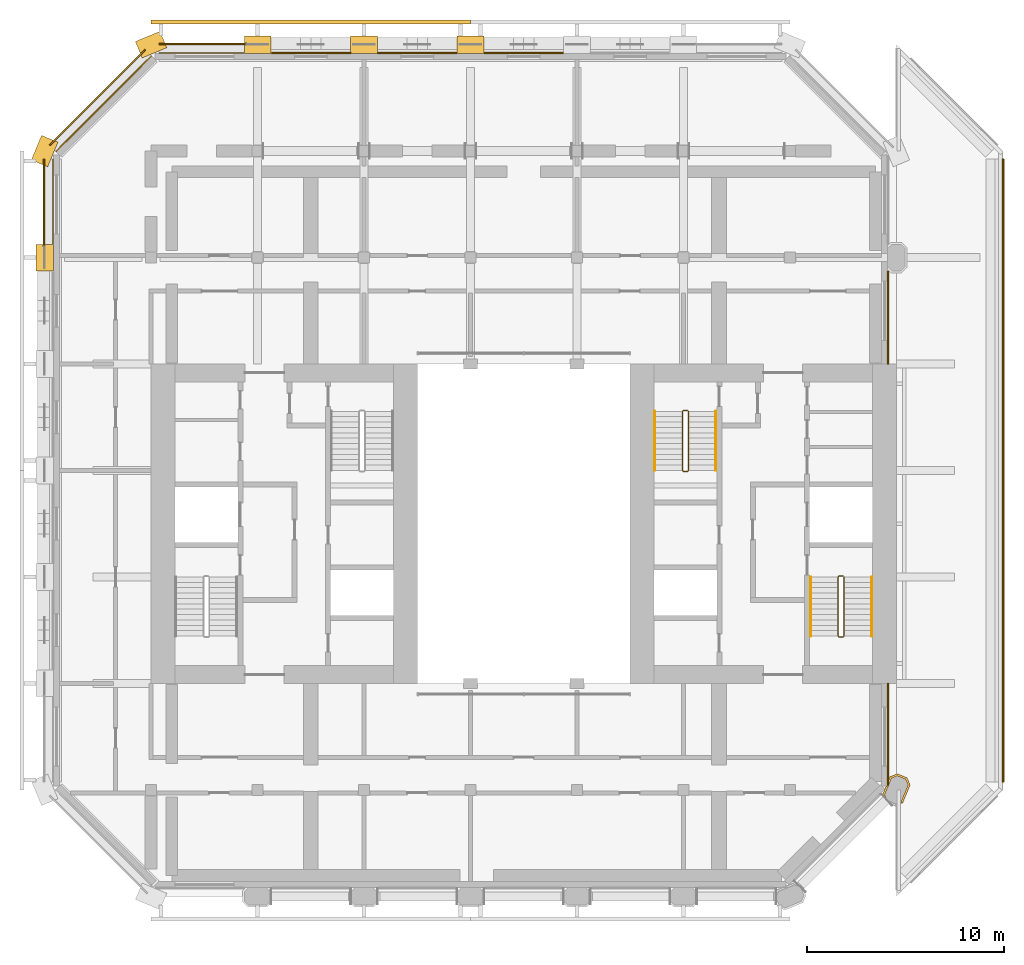
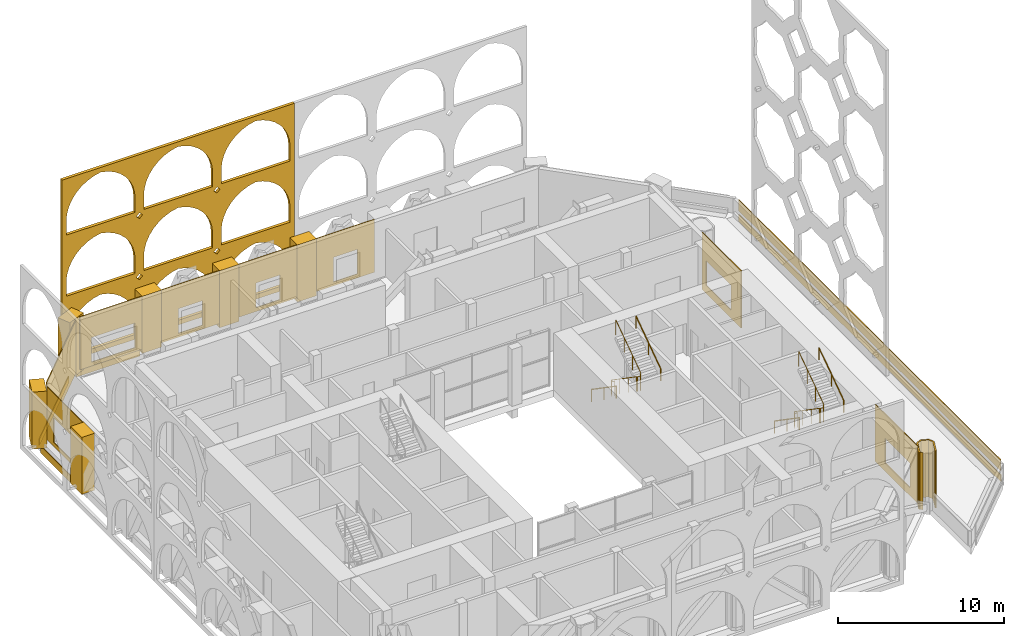
# One storey, part 15 of 16: 21 coverings, 6 railings.
"""IFC4 building model written with IfcOpenShell, lengths in metres."""

from ifc_helpers import new_model, si_unit, direction, frame, frame_2d, origin, origin_2d, place, context, subcontext, project, spatial, polyline, rectangle, circle, outline, extrude, material, layer, layer_set, type_object, element, save


model = new_model("IFC4")

# Units and contexts
model_context = context("Model", 3, precision=1e-05, world=origin(), true_north=direction((0.0, 1.0)))
body_context = subcontext(model_context, "Body", "Model", "MODEL_VIEW")
ifc_project = project(units=[si_unit("LENGTHUNIT", "METRE"), si_unit("AREAUNIT", "SQUARE_METRE"), si_unit("VOLUMEUNIT", "CUBIC_METRE"), si_unit("PLANEANGLEUNIT", "RADIAN"), si_unit("MASSUNIT", "GRAM", prefix="KILO")], contexts=[model_context])

# Site, building, storey
site_placement = place(None, origin())
site = spatial("IfcSite", under=ifc_project, at=site_placement, CompositionType="ELEMENT")
building_placement = place(site_placement, origin())
building = spatial("IfcBuilding", under=site, at=building_placement, Name="Tabaq Tower and Sports Hall", CompositionType="ELEMENT")
storey_placement = place(building_placement, frame((0.0, 0.0, 308.199951171875)))
storey = spatial("IfcBuildingStorey", under=building, at=storey_placement, Name="L77", CompositionType="ELEMENT", Elevation=308.199951171875)

# Coverings
ifc_material_1 = material(Name="Precast concrete C60/75", Category="concrete")
ifc_layer_1 = layer(ifc_material_1, 0.10009765625)
ifc_layer_set_1 = layer_set([ifc_layer_1], Name="Column cladding 100")
covering_type_1 = type_object("IfcCoveringType", Name="Column cladding 100", PredefinedType="CLADDING", material=ifc_layer_set_1)
covering_1_placement = place(storey_placement, origin())
element("IfcCovering", 1, at=covering_1_placement, inside=storey, type_object=covering_type_1, Name="Column cladding L77 PC-9C-CR", PredefinedType="CLADDING", context=body_context, shape_type="SweptSolid", body=[
    extrude(outline(polyline([(42.504150390625, 10.556396484375), (42.68212890625, 10.986083984375), (42.750244140625, 10.986083984375), (42.750244140625, 11.04296875), (42.810302734375, 11.04296875), (42.810302734375, 11.295654296875), (42.880126953125, 11.46435546875), (43.25048828125, 11.61767578125), (43.742431640625, 11.413818359375), (43.895751953125, 11.04345703125), (43.519775390625, 10.1357421875), (43.452880859375, 10.10791015625), (43.447509765625, 10.220947265625), (43.788330078125, 11.04345703125), (43.66650390625, 11.337646484375), (43.25048828125, 11.510009765625), (42.956298828125, 11.38818359375), (42.61181640625, 10.556396484375), (42.702880859375, 10.336181640625), (42.560302734375, 10.47900390625), (42.549560546875, 10.46826171875), (42.5341796875, 10.483642578125), (42.504150390625, 10.556396484375)])), origin(), (0.0, 0.0, 1.0), 4.199951171875),
])
ifc_material_2 = material(Name="Precast concrete C60/75", Category="concrete")
ifc_layer_2 = layer(ifc_material_2, 0.06005859375)
ifc_layer_set_2 = layer_set([ifc_layer_2], Name="Edge beam cladding 60")
covering_type_2 = type_object("IfcCoveringType", Name="Edge beam cladding 60", PredefinedType="CLADDING", material=ifc_layer_set_2)
covering_2_placement = place(storey_placement, frame((48.6298828125, 11.2021484375, -0.5), z_axis=(0.0, 0.0, 1.0), x_axis=(0.0, 1.0, 0.0)))
element("IfcCovering", 2, at=covering_2_placement, inside=storey, type_object=covering_type_2, Name="Edge beam cladding L77 7", PredefinedType="CLADDING", context=body_context, shape_type="SweptSolid", body=[
    extrude(rectangle(XDim=31.595703125, YDim=0.06005859375, at=frame_2d((15.7978515625, 0.0))), origin(), (0.0, 0.0, 1.0), 0.5),
])
covering_3_placement = place(storey_placement, frame((10.239990234375, 48.6298828125, -0.5), z_axis=(0.0, 0.0, 1.0), x_axis=(-1.0, 0.0, 0.0)))
element("IfcCovering", 3, at=covering_3_placement, inside=storey, type_object=covering_type_2, Name="Edge beam cladding L77 2 2", PredefinedType="CLADDING", context=body_context, shape_type="SweptSolid", body=[
    extrude(rectangle(XDim=4.43798828125, YDim=0.06005859375, at=frame_2d((2.218994140625, 0.0))), origin(), (0.0, 0.0, 1.0), 0.5),
])
covering_4_placement = place(storey_placement, frame((5.094482421875, 48.3369140625, -0.5), z_axis=(0.0, 0.0, 1.0), x_axis=(-0.707106781187, -0.707106781187, 0.0)))
element("IfcCovering", 4, at=covering_4_placement, inside=storey, type_object=covering_type_2, Name="Edge beam cladding L77 3", PredefinedType="CLADDING", context=body_context, shape_type="SweptSolid", body=[
    extrude(rectangle(XDim=6.83251953125, YDim=0.06005859375, at=frame_2d((3.416259765625, 0.0))), origin(), (0.0, 0.0, 1.0), 0.5),
])
covering_5_placement = place(storey_placement, frame((-0.030029296875, 42.7978515625, -0.5), z_axis=(0.0, 0.0, 1.0), x_axis=(0.0, -1.0, 0.0)))
element("IfcCovering", 5, at=covering_5_placement, inside=storey, type_object=covering_type_2, Name="Edge beam cladding L77 4", PredefinedType="CLADDING", context=body_context, shape_type="SweptSolid", body=[
    extrude(rectangle(XDim=4.437744140625, YDim=0.06005859375, at=frame_2d((2.21875, 0.0))), origin(), (0.0, 0.0, 1.0), 0.5),
])
ifc_material_3 = material(Name="White precast concrete C60/75", Category="concrete")
covering_type_3 = type_object("IfcCoveringType", Name="Pier cladding hung 1350x900", PredefinedType="CLADDING", material=ifc_material_3)
for number, where, z_axis, x_axis, name in (
    (6, (0.0, 38.47509765625, 0.0), (0.0, 0.0, 1.0), (0.0, -1.0, 0.0), "Hung pier cladding 0/7"),
    (7, (0.25830078125, 43.82373046875, 0.0), (0.0, 0.0, 1.0), (-0.382649923473, -0.923893411637, 0.0), "Hung pier cladding 0/8"),
    (8, (6.023681640625, 48.8583984375, 0.0), (0.0, 0.0, 1.0), (-0.923893411637, -0.382649923473, 0.0), "Hung pier cladding 1/9"),
    (9, (11.47509765625, 48.60009765625, 0.0), (0.0, 0.0, 1.0), (-1.0, 0.0, 0.0), "Hung pier cladding 2/9"),
    (10, (16.875, 48.60009765625, 0.0), (0.0, 0.0, 1.0), (-1.0, 0.0, 0.0), "Hung pier cladding 3/9"),
):
    element("IfcCovering", number, at=place(storey_placement, frame(where, z_axis=z_axis, x_axis=x_axis)), inside=storey, type_object=covering_type_3, Name=name, PredefinedType="CLADDING", context=body_context, shape_type="SweptSolid", body=[
        extrude(rectangle(XDim=1.35009765625, YDim=0.89990234375, at=frame_2d((0.675048828125, 0.0))), origin(), (0.0, 0.0, 1.0), 4.199951171875),
    ])
covering_6_placement = place(storey_placement, frame((22.27490234375, 48.60009765625, 0.0), z_axis=(0.0, 0.0, 1.0), x_axis=(-1.0, 0.0, 0.0)))
element("IfcCovering", 11, at=covering_6_placement, inside=storey, type_object=covering_type_3, Name="Hung pier cladding 4/9", PredefinedType="CLADDING", context=body_context, shape_type="SweptSolid", body=[
    extrude(rectangle(XDim=1.349853515625, YDim=0.89990234375, at=frame_2d((0.6748046875, 0.0))), origin(), (0.0, 0.0, 1.0), 4.199951171875),
])

# Railings
ifc_material_4 = material(Name="Stainless steel", Category="steel")
railing_type_1 = type_object("IfcRailingType", Name="Stair guard", PredefinedType="GUARDRAIL", material=ifc_material_4)
railing_1_placement = place(storey_placement, frame((40.5, 21.64990234375, 0.0)))
element("IfcRailing", 12, at=railing_1_placement, inside=storey, type_object=railing_type_1, Name="L77 ST3 stair guard 1", PredefinedType="GUARDRAIL", context=body_context, shape_type="SweptSolid", body=[
    extrude(circle(Radius=0.02392578125, at=origin_2d()), frame((0.0, 0.0, 1.076171875), z_axis=(-1.0, 0.0, 0.0), x_axis=(0.0, -1.0, 0.0)), (0.0, 0.0, 1.0), 0.199951171875),
    extrude(circle(Radius=0.02392578125, at=origin_2d()), frame((-0.199951171875, 0.0, 1.076171875), z_axis=(-0.249802250048, -0.248583702486, 0.935844527007), x_axis=(0.705375805398, -0.708833529934, 0.0)), (0.0, 0.0, 1.0), 0.200439453125),
    extrude(circle(Radius=0.02392578125, at=origin_2d()), frame((-0.25, -0.0498046875, 1.263671875), z_axis=(0.0, -0.824041924199, 0.566528822887), x_axis=(1.0, 0.0, 0.0)), (0.0, 0.0, 1.0), 3.640625),
    extrude(circle(Radius=0.02392578125, at=origin_2d()), frame((-0.25, -3.0498046875, 3.326171875), z_axis=(0.707106781187, -0.707106781187, 0.0), x_axis=(0.707106781187, 0.707106781187, 0.0)), (0.0, 0.0, 1.0), 0.07080078125),
    extrude(circle(Radius=0.02392578125, at=origin_2d()), frame((-0.199951171875, -3.099853515625, 3.326171875), z_axis=(1.0, 0.0, 0.0), x_axis=(0.0, 1.0, 0.0)), (0.0, 0.0, 1.0), 0.199951171875),
    extrude(circle(Radius=0.02392578125, at=origin_2d()), frame((0.0, -3.099853515625, 3.326171875), z_axis=(0.249726431254, 0.249726431254, 0.935560483917), x_axis=(-0.707106781187, 0.707106781187, 0.0)), (0.0, 0.0, 1.0), 0.200439453125),
    extrude(circle(Radius=0.02392578125, at=origin_2d()), frame((0.050048828125, -3.0498046875, 3.513671875), z_axis=(0.0, 0.824041924199, 0.566528822887), x_axis=(-1.0, 0.0, 0.0)), (0.0, 0.0, 1.0), 3.640625),
    extrude(circle(Radius=0.02099609375, at=origin_2d()), origin(), (0.0, 0.0, 1.0), 1.052001953125),
    extrude(circle(Radius=0.02099609375, at=origin_2d()), frame((-0.199951171875, 0.0, 0.0)), (0.0, 0.0, 1.0), 1.052001953125),
    extrude(circle(Radius=0.02099609375, at=origin_2d()), frame((-0.25, -0.0498046875, 0.1875)), (0.0, 0.0, 1.0), 1.052001953125),
    extrude(circle(Radius=0.02099609375, at=origin_2d()), frame((-0.25, -1.0498046875, 0.875)), (0.0, 0.0, 1.0), 1.052001953125),
    extrude(circle(Radius=0.02099609375, at=origin_2d()), frame((-0.25, -2.0498046875, 1.5625)), (0.0, 0.0, 1.0), 1.052001953125),
    extrude(circle(Radius=0.02099609375, at=origin_2d()), frame((-0.25, -3.0498046875, 2.25)), (0.0, 0.0, 1.0), 1.052001953125),
    extrude(circle(Radius=0.02099609375, at=origin_2d()), frame((-0.199951171875, -3.099853515625, 2.25)), (0.0, 0.0, 1.0), 1.052001953125),
    extrude(circle(Radius=0.02099609375, at=origin_2d()), frame((0.0, -3.099853515625, 2.25)), (0.0, 0.0, 1.0), 1.052001953125),
    extrude(circle(Radius=0.02099609375, at=origin_2d()), frame((0.050048828125, -3.0498046875, 2.4375)), (0.0, 0.0, 1.0), 1.052001953125),
    extrude(circle(Radius=0.02099609375, at=origin_2d()), frame((0.050048828125, -2.0498046875, 3.125)), (0.0, 0.0, 1.0), 1.052001953125),
    extrude(circle(Radius=0.02099609375, at=origin_2d()), frame((0.050048828125, -1.0498046875, 3.8125)), (0.0, 0.0, 1.0), 1.052001953125),
    extrude(circle(Radius=0.02099609375, at=origin_2d()), frame((0.050048828125, -0.0498046875, 4.5)), (0.0, 0.0, 1.0), 1.052001953125),
])
railing_2_placement = place(storey_placement, frame((32.60009765625, 30.050048828125, 0.0)))
element("IfcRailing", 13, at=railing_2_placement, inside=storey, type_object=railing_type_1, Name="L77 ST4 stair guard 1", PredefinedType="GUARDRAIL", context=body_context, shape_type="SweptSolid", body=[
    extrude(circle(Radius=0.02392578125, at=origin_2d()), frame((0.0, 0.0, 1.076171875), z_axis=(-1.0, 0.0, 0.0), x_axis=(0.0, -1.0, 0.0)), (0.0, 0.0, 1.0), 0.2001953125),
    extrude(circle(Radius=0.02392578125, at=origin_2d()), frame((-0.2001953125, 0.0, 1.076171875), z_axis=(-0.248583702486, -0.249802250048, 0.935844527007), x_axis=(0.708833529934, -0.705375805398, 0.0)), (0.0, 0.0, 1.0), 0.200439453125),
    extrude(circle(Radius=0.02392578125, at=origin_2d()), frame((-0.25, -0.050048828125, 1.263671875), z_axis=(0.0, -0.824041924199, 0.566528822887), x_axis=(1.0, 0.0, 0.0)), (0.0, 0.0, 1.0), 3.640625),
    extrude(circle(Radius=0.02392578125, at=origin_2d()), frame((-0.25, -3.050048828125, 3.326171875), z_axis=(0.705375805398, -0.708833529934, 0.0), x_axis=(0.708833529934, 0.705375805398, 0.0)), (0.0, 0.0, 1.0), 0.070556640625),
    extrude(circle(Radius=0.02392578125, at=origin_2d()), frame((-0.2001953125, -3.10009765625, 3.326171875), z_axis=(1.0, 0.0, 0.0), x_axis=(0.0, 1.0, 0.0)), (0.0, 0.0, 1.0), 0.2001953125),
    extrude(circle(Radius=0.02392578125, at=origin_2d()), frame((0.0, -3.10009765625, 3.326171875), z_axis=(0.248583702486, 0.249802250048, 0.935844527007), x_axis=(-0.708833529934, 0.705375805398, 0.0)), (0.0, 0.0, 1.0), 0.200439453125),
    extrude(circle(Radius=0.02392578125, at=origin_2d()), frame((0.0498046875, -3.050048828125, 3.513671875), z_axis=(0.0, 0.824041924199, 0.566528822887), x_axis=(-1.0, 0.0, 0.0)), (0.0, 0.0, 1.0), 3.640625),
    extrude(circle(Radius=0.02099609375, at=origin_2d()), origin(), (0.0, 0.0, 1.0), 1.052001953125),
    extrude(circle(Radius=0.02099609375, at=origin_2d()), frame((-0.2001953125, 0.0, 0.0)), (0.0, 0.0, 1.0), 1.052001953125),
    extrude(circle(Radius=0.02099609375, at=origin_2d()), frame((-0.25, -0.050048828125, 0.1875)), (0.0, 0.0, 1.0), 1.052001953125),
    extrude(circle(Radius=0.02099609375, at=origin_2d()), frame((-0.25, -1.050048828125, 0.875)), (0.0, 0.0, 1.0), 1.052001953125),
    extrude(circle(Radius=0.02099609375, at=origin_2d()), frame((-0.25, -2.050048828125, 1.5625)), (0.0, 0.0, 1.0), 1.052001953125),
    extrude(circle(Radius=0.02099609375, at=origin_2d()), frame((-0.25, -3.050048828125, 2.25)), (0.0, 0.0, 1.0), 1.052001953125),
    extrude(circle(Radius=0.02099609375, at=origin_2d()), frame((-0.2001953125, -3.10009765625, 2.25)), (0.0, 0.0, 1.0), 1.052001953125),
    extrude(circle(Radius=0.02099609375, at=origin_2d()), frame((0.0, -3.10009765625, 2.25)), (0.0, 0.0, 1.0), 1.052001953125),
    extrude(circle(Radius=0.02099609375, at=origin_2d()), frame((0.0498046875, -3.050048828125, 2.4375)), (0.0, 0.0, 1.0), 1.052001953125),
    extrude(circle(Radius=0.02099609375, at=origin_2d()), frame((0.0498046875, -2.050048828125, 3.125)), (0.0, 0.0, 1.0), 1.052001953125),
    extrude(circle(Radius=0.02099609375, at=origin_2d()), frame((0.0498046875, -1.050048828125, 3.8125)), (0.0, 0.0, 1.0), 1.052001953125),
    extrude(circle(Radius=0.02099609375, at=origin_2d()), frame((0.0498046875, -0.050048828125, 4.5)), (0.0, 0.0, 1.0), 1.052001953125),
])
ifc_material_5 = material(Name="Stainless steel", Category="steel")
railing_type_2 = type_object("IfcRailingType", Name="Stair handrail", PredefinedType="HANDRAIL", material=ifc_material_5)
railing_3_placement = place(storey_placement, frame((38.85009765625, 21.60009765625, 0.1875)))
element("IfcRailing", 14, at=railing_3_placement, inside=storey, type_object=railing_type_2, Name="L77 ST3 stair handrail 1", PredefinedType="HANDRAIL", context=body_context, shape_type="SweptSolid", body=[
    extrude(circle(Radius=0.02392578125, at=origin_2d()), frame((0.0, 0.0, 0.8759765625), z_axis=(0.0, -0.824041924199, 0.566528822887), x_axis=(1.0, 0.0, 0.0)), (0.0, 0.0, 1.0), 3.640625),
    extrude(circle(Radius=0.02099609375, at=origin_2d()), origin(), (0.0, 0.0, 1.0), 0.851806640625),
    extrude(circle(Radius=0.02099609375, at=origin_2d()), frame((0.0, -1.5, 1.03125)), (0.0, 0.0, 1.0), 0.851806640625),
    extrude(circle(Radius=0.02099609375, at=origin_2d()), frame((0.0, -3.0, 2.0625)), (0.0, 0.0, 1.0), 0.851806640625),
])
railing_4_placement = place(storey_placement, frame((41.949951171875, 18.60009765625, 2.4375)))
element("IfcRailing", 15, at=railing_4_placement, inside=storey, type_object=railing_type_2, Name="L77 ST3 stair handrail 2", PredefinedType="HANDRAIL", context=body_context, shape_type="SweptSolid", body=[
    extrude(circle(Radius=0.02392578125, at=origin_2d()), frame((0.0, 0.0, 0.8759765625), z_axis=(0.0, 0.824041924199, 0.566528822887), x_axis=(-1.0, 0.0, 0.0)), (0.0, 0.0, 1.0), 3.640625),
    extrude(circle(Radius=0.02099609375, at=origin_2d()), origin(), (0.0, 0.0, 1.0), 0.851806640625),
    extrude(circle(Radius=0.02099609375, at=origin_2d()), frame((0.0, 1.5, 1.03125)), (0.0, 0.0, 1.0), 0.851806640625),
    extrude(circle(Radius=0.02099609375, at=origin_2d()), frame((0.0, 3.0, 2.0625)), (0.0, 0.0, 1.0), 0.851806640625),
])
railing_5_placement = place(storey_placement, frame((30.949951171875, 30.0, 0.1875)))
element("IfcRailing", 16, at=railing_5_placement, inside=storey, type_object=railing_type_2, Name="L77 ST4 stair handrail 1", PredefinedType="HANDRAIL", context=body_context, shape_type="SweptSolid", body=[
    extrude(circle(Radius=0.02392578125, at=origin_2d()), frame((0.0, 0.0, 0.8759765625), z_axis=(0.0, -0.824041924199, 0.566528822887), x_axis=(1.0, 0.0, 0.0)), (0.0, 0.0, 1.0), 3.640625),
    extrude(circle(Radius=0.02099609375, at=origin_2d()), origin(), (0.0, 0.0, 1.0), 0.851806640625),
    extrude(circle(Radius=0.02099609375, at=origin_2d()), frame((0.0, -1.5, 1.03125)), (0.0, 0.0, 1.0), 0.851806640625),
    extrude(circle(Radius=0.02099609375, at=origin_2d()), frame((0.0, -3.0, 2.0625)), (0.0, 0.0, 1.0), 0.851806640625),
])
railing_6_placement = place(storey_placement, frame((34.050048828125, 27.0, 2.4375)))
element("IfcRailing", 17, at=railing_6_placement, inside=storey, type_object=railing_type_2, Name="L77 ST4 stair handrail 2", PredefinedType="HANDRAIL", context=body_context, shape_type="SweptSolid", body=[
    extrude(circle(Radius=0.02392578125, at=origin_2d()), frame((0.0, 0.0, 0.8759765625), z_axis=(0.0, 0.824041924199, 0.566528822887), x_axis=(-1.0, 0.0, 0.0)), (0.0, 0.0, 1.0), 3.640625),
    extrude(circle(Radius=0.02099609375, at=origin_2d()), origin(), (0.0, 0.0, 1.0), 0.851806640625),
    extrude(circle(Radius=0.02099609375, at=origin_2d()), frame((0.0, 1.5, 1.03125)), (0.0, 0.0, 1.0), 0.851806640625),
    extrude(circle(Radius=0.02099609375, at=origin_2d()), frame((0.0, 3.0, 2.0625)), (0.0, 0.0, 1.0), 0.851806640625),
])

# Coverings
ifc_material_6 = material(Name="White precast concrete C60/75 pierced screen", Category="concrete")
ifc_layer_3 = layer(ifc_material_6, 0.199951171875)
ifc_layer_set_3 = layer_set([ifc_layer_3], Name="TRACERY SCREEN 200 C60/75")
covering_type_4 = type_object("IfcCoveringType", Name="TRACERY SCREEN 200 C60/75", PredefinedType="CLADDING", material=ifc_layer_set_3)
covering_7_placement = place(storey_placement, frame((21.60009765625, 49.75, 0.0), z_axis=(0.0, 0.0, 1.0), x_axis=(-1.0, 0.0, 0.0)))
element("IfcCovering", 18, at=covering_7_placement, inside=storey, type_object=covering_type_4, Name="Tracery screen CR N L77-L79", PredefinedType="CLADDING", context=body_context, shape_type="SweptSolid", body=[
    extrude(outline(polyline([(0.0, 0.0), (16.2001953125, 0.0), (16.2001953125, 13.5), (0.0, 13.5), (0.0, 0.0)]), holes=[polyline([(0.300048828125, 0.35009765625), (5.10009765625, 0.35009765625), (5.10009765625, 1.39013671875), (5.055419921875, 1.885986328125), (4.92333984375, 2.3662109375), (4.7080078125, 2.815185546875), (4.416015625, 3.21875), (4.05712890625, 3.56396484375), (3.642333984375, 3.839599609375), (3.18505859375, 4.037109375), (2.699951171875, 4.150146484375), (2.21484375, 4.037109375), (1.7578125, 3.839599609375), (1.343017578125, 3.56396484375), (0.98388671875, 3.21875), (0.69189453125, 2.815185546875), (0.4765625, 2.3662109375), (0.344482421875, 1.885986328125), (0.300048828125, 1.39013671875), (0.300048828125, 0.35009765625)]), polyline([(5.699951171875, 0.35009765625), (10.5, 0.35009765625), (10.5, 1.39013671875), (10.45556640625, 1.885986328125), (10.323486328125, 2.3662109375), (10.10791015625, 2.815185546875), (9.816162109375, 3.21875), (9.45703125, 3.56396484375), (9.042236328125, 3.839599609375), (8.5849609375, 4.037109375), (8.10009765625, 4.150146484375), (7.614990234375, 4.037109375), (7.15771484375, 3.839599609375), (6.742919921875, 3.56396484375), (6.384033203125, 3.21875), (6.092041015625, 2.815185546875), (5.87646484375, 2.3662109375), (5.744384765625, 1.885986328125), (5.699951171875, 1.39013671875), (5.699951171875, 0.35009765625)]), polyline([(11.10009765625, 0.35009765625), (15.89990234375, 0.35009765625), (15.89990234375, 1.39013671875), (15.85546875, 1.885986328125), (15.723388671875, 2.3662109375), (15.508056640625, 2.815185546875), (15.216064453125, 3.21875), (14.85693359375, 3.56396484375), (14.442138671875, 3.839599609375), (13.985107421875, 4.037109375), (13.5, 4.150146484375), (13.014892578125, 4.037109375), (12.557861328125, 3.839599609375), (12.14306640625, 3.56396484375), (11.783935546875, 3.21875), (11.491943359375, 2.815185546875), (11.276611328125, 2.3662109375), (11.14453125, 1.885986328125), (11.10009765625, 1.39013671875), (11.10009765625, 0.35009765625)]), polyline([(0.300048828125, 4.85009765625), (5.10009765625, 4.85009765625), (5.10009765625, 5.89013671875), (5.055419921875, 6.385986328125), (4.92333984375, 6.8662109375), (4.7080078125, 7.315185546875), (4.416015625, 7.71875), (4.05712890625, 8.06396484375), (3.642333984375, 8.339599609375), (3.18505859375, 8.537109375), (2.699951171875, 8.650146484375), (2.21484375, 8.537109375), (1.7578125, 8.339599609375), (1.343017578125, 8.06396484375), (0.98388671875, 7.71875), (0.69189453125, 7.315185546875), (0.4765625, 6.8662109375), (0.344482421875, 6.385986328125), (0.300048828125, 5.89013671875), (0.300048828125, 4.85009765625)]), polyline([(5.699951171875, 4.85009765625), (10.5, 4.85009765625), (10.5, 5.89013671875), (10.45556640625, 6.385986328125), (10.323486328125, 6.8662109375), (10.10791015625, 7.315185546875), (9.816162109375, 7.71875), (9.45703125, 8.06396484375), (9.042236328125, 8.339599609375), (8.5849609375, 8.537109375), (8.10009765625, 8.650146484375), (7.614990234375, 8.537109375), (7.15771484375, 8.339599609375), (6.742919921875, 8.06396484375), (6.384033203125, 7.71875), (6.092041015625, 7.315185546875), (5.87646484375, 6.8662109375), (5.744384765625, 6.385986328125), (5.699951171875, 5.89013671875), (5.699951171875, 4.85009765625)]), polyline([(11.10009765625, 4.85009765625), (15.89990234375, 4.85009765625), (15.89990234375, 5.89013671875), (15.85546875, 6.385986328125), (15.723388671875, 6.8662109375), (15.508056640625, 7.315185546875), (15.216064453125, 7.71875), (14.85693359375, 8.06396484375), (14.442138671875, 8.339599609375), (13.985107421875, 8.537109375), (13.5, 8.650146484375), (13.014892578125, 8.537109375), (12.557861328125, 8.339599609375), (12.14306640625, 8.06396484375), (11.783935546875, 7.71875), (11.491943359375, 7.315185546875), (11.276611328125, 6.8662109375), (11.14453125, 6.385986328125), (11.10009765625, 5.89013671875), (11.10009765625, 4.85009765625)]), polyline([(0.300048828125, 9.35009765625), (5.10009765625, 9.35009765625), (5.10009765625, 10.39013671875), (5.055419921875, 10.885986328125), (4.92333984375, 11.3662109375), (4.7080078125, 11.815185546875), (4.416015625, 12.21875), (4.05712890625, 12.56396484375), (3.642333984375, 12.839599609375), (3.18505859375, 13.037109375), (2.699951171875, 13.150146484375), (2.21484375, 13.037109375), (1.7578125, 12.839599609375), (1.343017578125, 12.56396484375), (0.98388671875, 12.21875), (0.69189453125, 11.815185546875), (0.4765625, 11.3662109375), (0.344482421875, 10.885986328125), (0.300048828125, 10.39013671875), (0.300048828125, 9.35009765625)]), polyline([(5.699951171875, 9.35009765625), (10.5, 9.35009765625), (10.5, 10.39013671875), (10.45556640625, 10.885986328125), (10.323486328125, 11.3662109375), (10.10791015625, 11.815185546875), (9.816162109375, 12.21875), (9.45703125, 12.56396484375), (9.042236328125, 12.839599609375), (8.5849609375, 13.037109375), (8.10009765625, 13.150146484375), (7.614990234375, 13.037109375), (7.15771484375, 12.839599609375), (6.742919921875, 12.56396484375), (6.384033203125, 12.21875), (6.092041015625, 11.815185546875), (5.87646484375, 11.3662109375), (5.744384765625, 10.885986328125), (5.699951171875, 10.39013671875), (5.699951171875, 9.35009765625)]), polyline([(11.10009765625, 9.35009765625), (15.89990234375, 9.35009765625), (15.89990234375, 10.39013671875), (15.85546875, 10.885986328125), (15.723388671875, 11.3662109375), (15.508056640625, 11.815185546875), (15.216064453125, 12.21875), (14.85693359375, 12.56396484375), (14.442138671875, 12.839599609375), (13.985107421875, 13.037109375), (13.5, 13.150146484375), (13.014892578125, 13.037109375), (12.557861328125, 12.839599609375), (12.14306640625, 12.56396484375), (11.783935546875, 12.21875), (11.491943359375, 11.815185546875), (11.276611328125, 11.3662109375), (11.14453125, 10.885986328125), (11.10009765625, 10.39013671875), (11.10009765625, 9.35009765625)]), polyline([(5.6201171875, 4.5), (5.39990234375, 4.719970703125), (5.179931640625, 4.5), (5.39990234375, 4.280029296875), (5.6201171875, 4.5)]), polyline([(11.02001953125, 4.5), (10.800048828125, 4.719970703125), (10.580078125, 4.5), (10.800048828125, 4.280029296875), (11.02001953125, 4.5)]), polyline([(5.6201171875, 9.0), (5.39990234375, 9.219970703125), (5.179931640625, 9.0), (5.39990234375, 8.780029296875), (5.6201171875, 9.0)]), polyline([(11.02001953125, 9.0), (10.800048828125, 9.219970703125), (10.580078125, 9.0), (10.800048828125, 8.780029296875), (11.02001953125, 9.0)])]), frame((0.0, 0.10009765625, 0.0), z_axis=(0.0, -1.0, 0.0), x_axis=(1.0, 0.0, 0.0)), (0.0, 0.0, 1.0), 0.199951171875),
])
ifc_material_7 = material(Name="Precast concrete C60/75", Category="concrete")
ifc_layer_4 = layer(ifc_material_7, 0.06005859375)
ifc_layer_set_4 = layer_set([ifc_layer_4], Name="White precast cladding panel 60 C60/75")
covering_type_5 = type_object("IfcCoveringType", Name="White precast cladding panel 60 C60/75", PredefinedType="CLADDING", material=ifc_layer_set_4)
covering_8_placement = place(storey_placement, frame((42.780029296875, 11.043212890625, 0.0), z_axis=(0.0, 0.0, 1.0), x_axis=(0.0, 1.0, 0.0)))
element("IfcCovering", 19, at=covering_8_placement, inside=storey, type_object=covering_type_5, Name="White precast cladding panel L77 wall02", PredefinedType="CLADDING", context=body_context, shape_type="SweptSolid", body=[
    extrude(outline(polyline([(0.0, 0.0), (5.15673828125, 0.0), (5.15673828125, 4.199951171875), (4.57763671875, 4.199951171875), (3.998291015625, 4.199951171875), (3.4189453125, 4.199951171875), (2.839599609375, 4.199951171875), (2.260498046875, 4.199951171875), (1.68115234375, 4.199951171875), (1.101806640625, 4.199951171875), (0.5224609375, 4.199951171875), (0.0, 4.199951171875), (0.0, 0.0)]), holes=[polyline([(0.94677734375, 0.590087890625), (0.94677734375, 2.41015625), (3.966796875, 2.41015625), (3.966796875, 0.590087890625), (0.94677734375, 0.590087890625)])]), frame((0.0, 0.030029296875, 0.0), z_axis=(0.0, -1.0, 0.0), x_axis=(1.0, 0.0, 0.0)), (0.0, 0.0, 1.0), 0.06005859375),
])
covering_9_placement = place(storey_placement, frame((42.780029296875, 32.39990234375, 0.0), z_axis=(0.0, 0.0, 1.0), x_axis=(0.0, 1.0, 0.0)))
element("IfcCovering", 20, at=covering_9_placement, inside=storey, type_object=covering_type_5, Name="White precast cladding panel L77 wall02-1", PredefinedType="CLADDING", context=body_context, shape_type="SweptSolid", body=[
    extrude(outline(polyline([(0.0, 0.0), (4.715087890625, 0.0), (4.715087890625, 4.199951171875), (4.12744140625, 4.199951171875), (3.537841796875, 4.199951171875), (2.9482421875, 4.199951171875), (2.358642578125, 4.199951171875), (1.76904296875, 4.199951171875), (1.17919921875, 4.199951171875), (0.589599609375, 4.199951171875), (0.0, 4.199951171875), (0.0, 0.0)]), holes=[polyline([(1.18994140625, 0.590087890625), (1.18994140625, 2.41015625), (4.2099609375, 2.41015625), (4.2099609375, 0.590087890625), (1.18994140625, 0.590087890625)])]), frame((0.0, 0.030029296875, 0.0), z_axis=(0.0, -1.0, 0.0), x_axis=(1.0, 0.0, 0.0)), (0.0, 0.0, 1.0), 0.06005859375),
])
covering_10_placement = place(storey_placement, frame((26.31494140625, 48.179931640625, 0.31005859375), z_axis=(0.0, 0.0, 1.0), x_axis=(-1.0, 0.0, 0.0)))
element("IfcCovering", 21, at=covering_10_placement, inside=storey, type_object=covering_type_5, Name="White precast cladding panel L77 wall04 3", PredefinedType="CLADDING", context=body_context, shape_type="SweptSolid", body=[
    extrude(outline(polyline([(0.0, 0.0), (4.030029296875, 0.0), (4.030029296875, 3.889892578125), (3.52880859375, 3.889892578125), (2.935791015625, 3.889892578125), (2.342529296875, 3.889892578125), (1.74951171875, 3.889892578125), (1.156494140625, 3.889892578125), (0.563232421875, 3.889892578125), (0.0, 3.889892578125), (0.0, 0.0)]), holes=[polyline([(1.179931640625, 0.280029296875), (1.179931640625, 2.10009765625), (2.85009765625, 2.10009765625), (2.85009765625, 0.280029296875), (1.179931640625, 0.280029296875)])]), frame((0.0, 0.030029296875, 0.0), z_axis=(0.0, -1.0, 0.0), x_axis=(1.0, 0.0, 0.0)), (0.0, 0.0, 1.0), 0.06005859375),
])
covering_11_placement = place(storey_placement, frame((20.9150390625, 48.179931640625, 0.31005859375), z_axis=(0.0, 0.0, 1.0), x_axis=(-1.0, 0.0, 0.0)))
element("IfcCovering", 22, at=covering_11_placement, inside=storey, type_object=covering_type_5, Name="White precast cladding panel L77 wall04 4", PredefinedType="CLADDING", context=body_context, shape_type="SweptSolid", body=[
    extrude(outline(polyline([(0.0, 0.0), (4.030029296875, 0.0), (4.030029296875, 3.889892578125), (3.466796875, 3.889892578125), (2.87353515625, 3.889892578125), (2.280517578125, 3.889892578125), (1.6875, 3.889892578125), (1.09423828125, 3.889892578125), (0.501220703125, 3.889892578125), (0.0, 3.889892578125), (0.0, 0.0)]), holes=[polyline([(1.179931640625, 0.280029296875), (1.179931640625, 2.10009765625), (2.85009765625, 2.10009765625), (2.85009765625, 0.280029296875), (1.179931640625, 0.280029296875)])]), frame((0.0, 0.030029296875, 0.0), z_axis=(0.0, -1.0, 0.0), x_axis=(1.0, 0.0, 0.0)), (0.0, 0.0, 1.0), 0.06005859375),
])
covering_12_placement = place(storey_placement, frame((15.514892578125, 48.179931640625, 0.31005859375), z_axis=(0.0, 0.0, 1.0), x_axis=(-1.0, 0.0, 0.0)))
element("IfcCovering", 23, at=covering_12_placement, inside=storey, type_object=covering_type_5, Name="White precast cladding panel L77 wall04 5", PredefinedType="CLADDING", context=body_context, shape_type="SweptSolid", body=[
    extrude(outline(polyline([(0.0, 0.0), (4.02978515625, 0.0), (4.030029296875, 3.889892578125), (3.99755859375, 3.889892578125), (3.404541015625, 3.889892578125), (2.8115234375, 3.889892578125), (2.21826171875, 3.889892578125), (1.625244140625, 3.889892578125), (1.0322265625, 3.889892578125), (0.43896484375, 3.889892578125), (0.0, 3.889892578125), (0.0, 0.0)]), holes=[polyline([(1.179931640625, 0.280029296875), (1.179931640625, 2.10009765625), (2.85009765625, 2.10009765625), (2.85009765625, 0.280029296875), (1.179931640625, 0.280029296875)])]), frame((0.0, 0.030029296875, 0.0), z_axis=(0.0, -1.0, 0.0), x_axis=(1.0, 0.0, 0.0)), (0.0, 0.0, 1.0), 0.06005859375),
])
covering_13_placement = place(storey_placement, frame((10.114990234375, 48.179931640625, 0.31005859375), z_axis=(0.0, 0.0, 1.0), x_axis=(-1.0, 0.0, 0.0)))
element("IfcCovering", 24, at=covering_13_placement, inside=storey, type_object=covering_type_5, Name="White precast cladding panel L77 wall04 6", PredefinedType="CLADDING", context=body_context, shape_type="SweptSolid", body=[
    extrude(outline(polyline([(0.0, 0.0), (4.322998046875, 0.0), (4.322998046875, 3.889892578125), (3.935546875, 3.889892578125), (3.342529296875, 3.889892578125), (2.749267578125, 3.889892578125), (2.15625, 3.889892578125), (1.563232421875, 3.889892578125), (0.969970703125, 3.889892578125), (0.376953125, 3.889892578125), (0.0, 3.889892578125), (0.0, 0.0)]), holes=[polyline([(0.5048828125, 0.280029296875), (0.5048828125, 2.10009765625), (3.52490234375, 2.10009765625), (3.52490234375, 0.280029296875), (0.5048828125, 0.280029296875)])]), frame((0.0, 0.030029296875, 0.0), z_axis=(0.0, -1.0, 0.0), x_axis=(1.0, 0.0, 0.0)), (0.0, 0.0, 1.0), 0.06005859375),
])
covering_14_placement = place(storey_placement, frame((5.419677734375, 48.02587890625, 0.31005859375), z_axis=(0.0, 0.0, 1.0), x_axis=(-0.707088967465, -0.70712459446, 0.0)))
element("IfcCovering", 25, at=covering_14_placement, inside=storey, type_object=covering_type_5, Name="White precast cladding panel L77 wall05", PredefinedType="CLADDING", context=body_context, shape_type="SweptSolid", body=[
    extrude(outline(polyline([(0.0, 0.0), (6.852783203125, 0.0), (6.8525390625, 3.889892578125), (6.284423828125, 3.889892578125), (5.712890625, 3.889892578125), (5.14111328125, 3.889892578125), (4.569580078125, 3.889892578125), (3.998046875, 3.889892578125), (3.42626953125, 3.889892578125), (2.854736328125, 3.889892578125), (2.282958984375, 3.889892578125), (1.71142578125, 3.889892578125), (1.1396484375, 3.889892578125), (0.568115234375, 3.889892578125), (0.0, 3.889892578125), (0.0, 0.0)])), frame((0.0, 0.030029296875, 0.0), z_axis=(0.0, -1.0, 0.0), x_axis=(1.0, 0.0, 0.0)), (0.0, 0.0, 1.0), 0.06005859375),
])
covering_15_placement = place(storey_placement, frame((0.419921875, 42.807861328125, 0.31005859375), z_axis=(0.0, 0.0, 1.0), x_axis=(0.0, -1.0, 0.0)))
element("IfcCovering", 26, at=covering_15_placement, inside=storey, type_object=covering_type_5, Name="White precast cladding panel L77 wall06", PredefinedType="CLADDING", context=body_context, shape_type="SweptSolid", body=[
    extrude(outline(polyline([(0.0, 0.0), (4.32275390625, 0.0), (4.322998046875, 3.889892578125), (3.946044921875, 3.889892578125), (3.352783203125, 3.889892578125), (2.759765625, 3.889892578125), (2.166748046875, 3.889892578125), (1.573486328125, 3.889892578125), (0.98046875, 3.889892578125), (0.387451171875, 3.889892578125), (0.0, 3.889892578125), (0.0, 0.0)]), holes=[polyline([(0.7978515625, 0.280029296875), (0.7978515625, 2.10009765625), (3.81787109375, 2.10009765625), (3.81787109375, 0.280029296875), (0.7978515625, 0.280029296875)])]), frame((0.0, 0.030029296875, 0.0), z_axis=(0.0, -1.0, 0.0), x_axis=(1.0, 0.0, 0.0)), (0.0, 0.0, 1.0), 0.06005859375),
])
covering_16_placement = place(storey_placement, frame((48.610107421875, 42.807861328125, 0.31005859375), z_axis=(0.0, 0.0, 1.0), x_axis=(0.0, -1.0, 0.0)))
element("IfcCovering", 27, at=covering_16_placement, inside=storey, type_object=covering_type_5, Name="White precast cladding panel L77 parapet00-2", PredefinedType="CLADDING", context=body_context, shape_type="SweptSolid", body=[
    extrude(rectangle(XDim=31.61572265625, YDim=0.06005859375, at=frame_2d((15.807861328125, 0.0))), origin(), (0.0, 0.0, 1.0), 0.7900390625),
])

save(model, "model.ifc")
